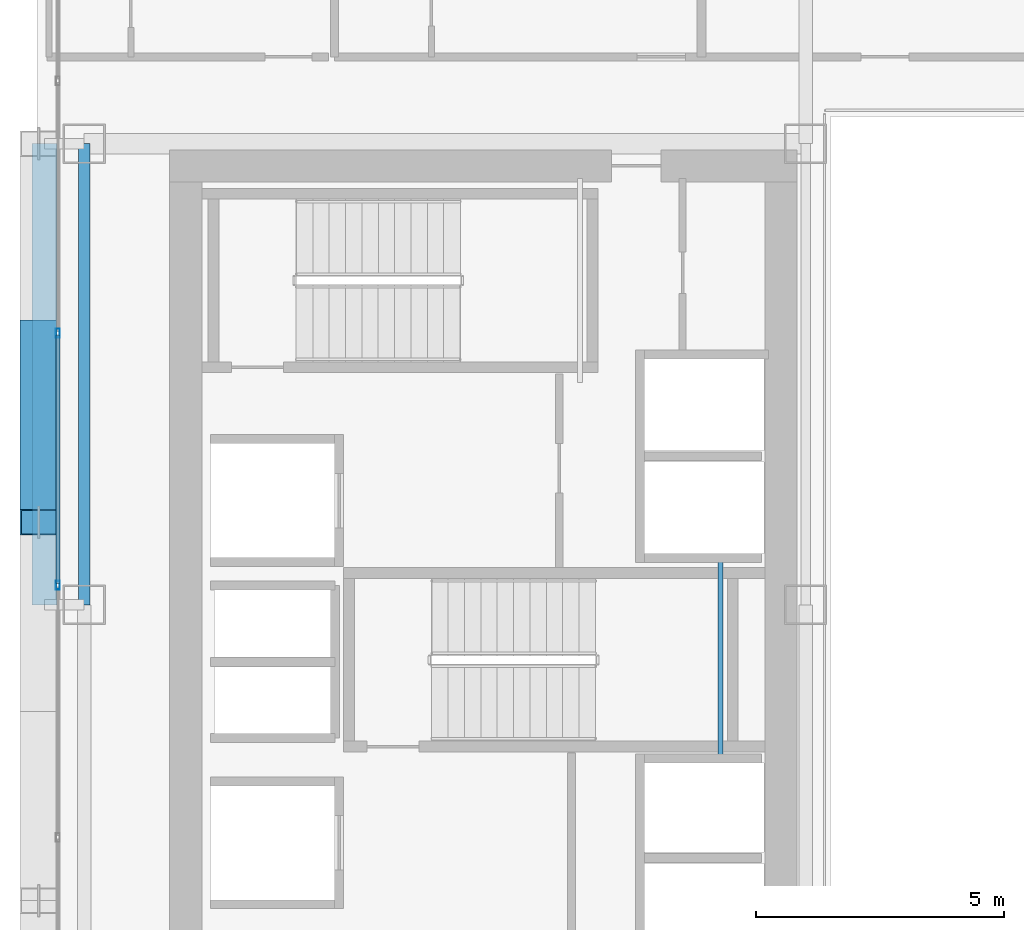
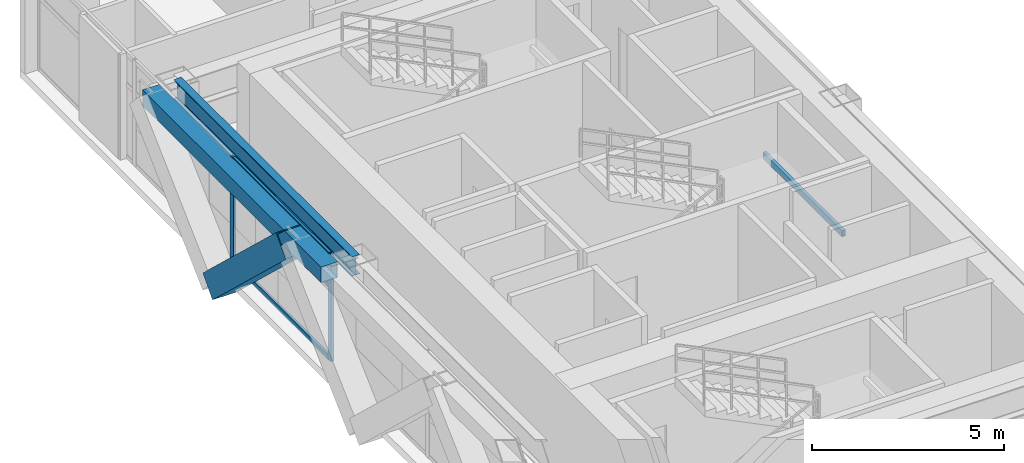
# One storey, part 8 of 34: 6 members, 3 beams, 1 element without a shape of its own.
"""IFC4 building model written with IfcOpenShell, lengths in metres."""

from ifc_helpers import new_model, si_unit, direction, frame, origin, origin_2d, place, context, subcontext, project, spatial, hollow_rectangle, i_section, extrude, source, transform, mapped, material, layer, layer_set, material_profile, profile_set, type_object, element, aggregate, save


model = new_model("IFC4")

# Units and contexts
model_context = context("Model", 3, precision=1e-05, world=origin(), true_north=direction((0.0, 1.0)))
body_context = subcontext(model_context, "Body", "Model", "MODEL_VIEW")
ifc_project = project(units=[si_unit("LENGTHUNIT", "METRE"), si_unit("AREAUNIT", "SQUARE_METRE"), si_unit("VOLUMEUNIT", "CUBIC_METRE"), si_unit("PLANEANGLEUNIT", "RADIAN"), si_unit("MASSUNIT", "GRAM", prefix="KILO")], contexts=[model_context])

# Site, building, storey
site_placement = place(None, origin())
site = spatial("IfcSite", under=ifc_project, at=site_placement, CompositionType="ELEMENT")
building_placement = place(site_placement, origin())
building = spatial("IfcBuilding", under=site, at=building_placement, Name="Ocotamira Hotel", CompositionType="ELEMENT")
storey_placement = place(building_placement, frame((0.0, 0.0, 108.0)))
storey = spatial("IfcBuildingStorey", under=building, at=storey_placement, Name="L26", CompositionType="ELEMENT", Elevation=108.0)

# Beams
ifc_material_1 = material(Name="Steel ASTM A500 Grade C", Category="steel")
ifc_material_profile_1 = material_profile(ifc_material_1, hollow_rectangle(XDim=0.10009765625, YDim=0.199951171875, WallThickness=0.008056640625, at=origin_2d()), Name="HSS200X100X8")
ifc_profile_set_1 = profile_set([ifc_material_profile_1], Name="Steel ASTM A500 Grade C")
beam_type_1 = type_object("IfcBeamType", Name="BM-STLDG-HSS200", PredefinedType="BEAM", material=ifc_profile_set_1)
shared_shape_1 = source(origin(), body_context, "Body", "SweptSolid", [
    extrude(hollow_rectangle(XDim=0.10009765625, YDim=0.199951171875, WallThickness=0.008056640625, at=origin_2d()), origin(), (0.0, 0.0, 1.0), 4.1201171875),
])
beam_1_placement = place(storey_placement, frame((21.780029296875, 24.97998046875, 1.5), z_axis=(0.0, 1.0, 0.0), x_axis=(-1.0, 0.0, 0.0)))
element("IfcBeam", 1, at=beam_1_placement, inside=storey, type_object=beam_type_1, Name="L26 Stair ST-3 Landing Bearer 1", PredefinedType="BEAM", context=body_context, shape_type="MappedRepresentation", body=[
    mapped(shared_shape_1, transform((0.0, 0.0, 0.0), scale=1.0)),
])
ifc_material_2 = material(Name="Steel ASTM A992 Grade 50", Category="steel")
ifc_material_profile_2 = material_profile(ifc_material_2, i_section(OverallWidth=0.22998046875, OverallDepth=0.616943359375, WebThickness=0.01318359375, FlangeThickness=0.022216796875, FilletRadius=0.012939453125, at=origin_2d()), Name="W24X94")
ifc_profile_set_2 = profile_set([ifc_material_profile_2], Name="Steel ASTM A992 Grade 50")
beam_type_2 = type_object("IfcBeamType", Name="BM-PRIM-W24X94", PredefinedType="BEAM", material=ifc_profile_set_2)
shared_shape_2 = source(origin(), body_context, "Body", "SweptSolid", [
    extrude(i_section(OverallWidth=0.22998046875, OverallDepth=0.616943359375, WebThickness=0.01318359375, FlangeThickness=0.022216796875, FilletRadius=0.012939453125, at=origin_2d()), origin(), (0.0, 0.0, 1.0), 9.300048828125),
])
beam_2_placement = place(storey_placement, frame((8.949951171875, 28.14990234375, 3.051513671875), z_axis=(0.0, 1.0, 0.0), x_axis=(-1.0, 0.0, 0.0)))
element("IfcBeam", 2, at=beam_2_placement, inside=storey, type_object=beam_type_2, Name="L26 Beam X8.95 Y28.15-37.45", PredefinedType="BEAM", context=body_context, shape_type="MappedRepresentation", body=[
    mapped(shared_shape_2, transform((0.0, 0.0, 0.0), scale=1.0)),
])
ifc_material_profile_3 = material_profile(ifc_material_1, hollow_rectangle(XDim=0.5, YDim=0.5, WallThickness=0.02001953125, at=origin_2d()), Name="HSS500X500X20")
ifc_profile_set_3 = profile_set([ifc_material_profile_3], Name="Steel ASTM A500 Grade C")
beam_type_3 = type_object("IfcBeamType", Name="BM-SPAN-HSS500", PredefinedType="USERDEFINED", material=ifc_profile_set_3)
shared_shape_3 = source(origin(), body_context, "Body", "SweptSolid", [
    extrude(hollow_rectangle(XDim=0.5, YDim=0.5, WallThickness=0.02001953125, at=origin_2d()), origin(), (0.0, 0.0, 1.0), 9.300048828125),
])
beam_3_placement = place(storey_placement, frame((8.14990234375, 28.14990234375, 3.110107421875), z_axis=(0.0, 1.0, 0.0), x_axis=(-1.0, 0.0, 0.0)))
element("IfcBeam", 3, at=beam_3_placement, inside=storey, type_object=beam_type_3, Name="L26 Edge Spandrel W Y28.15-37.45", ObjectType="SPANDREL", PredefinedType="USERDEFINED", context=body_context, shape_type="MappedRepresentation", body=[
    mapped(shared_shape_3, transform((0.0, 0.0, 0.0), scale=1.0)),
])

# Member
ifc_material_3 = material(Name="Pale-metal coated steel ASTM A913 Grade 65", Category="steel")
ifc_material_profile_4 = material_profile(ifc_material_3, hollow_rectangle(XDim=0.75, YDim=0.75, WallThickness=0.028076171875, at=origin_2d()), Name="BOX750X750X28")
ifc_profile_set_4 = profile_set([ifc_material_profile_4], Name="Pale-metal coated steel ASTM A913 Grade 65")
member_type_1 = type_object("IfcMemberType", Name="MEM-EXO-BOX750", PredefinedType="BRACE", material=ifc_profile_set_4)
shared_shape_4 = source(origin(), body_context, "Body", "SweptSolid", [
    extrude(hollow_rectangle(XDim=0.75, YDim=0.75, WallThickness=0.028076171875, at=origin_2d()), origin(), (0.0, 0.0, 1.0), 5.24658203125),
])
member_1_placement = place(storey_placement, frame((8.030029296875, 33.63330078125, -0.489990234375), z_axis=(0.0, -0.727442733726, 0.686168397078), x_axis=(1.0, 0.0, 0.0)))
element("IfcMember", 4, at=member_1_placement, inside=storey, type_object=member_type_1, Name="L26 Exoskeleton Diagrid W2.1", PredefinedType="BRACE", context=body_context, shape_type="MappedRepresentation", body=[
    mapped(shared_shape_4, transform((0.0, 0.0, 0.0), scale=1.0)),
])

# Curtain wall, members
ifc_material_4 = material(Name="Anodised pale-metal aluminium and solar glass", Category="aluminium")
ifc_layer = layer(ifc_material_4, 0.179931640625)
ifc_layer_set = layer_set([ifc_layer], Name="Anodised pale-metal aluminium and solar glass")
curtain_wall_type = type_object("IfcCurtainWallType", Name="CW-SYS3-Z2", PredefinedType="NOTDEFINED", material=ifc_layer_set)
curtain_wall_placement = place(storey_placement, origin())
curtain_wall = element("IfcCurtainWall", 5, at=curtain_wall_placement, inside=storey, type_object=curtain_wall_type, Name="L26 Curtain Wall CW-3 CW-L26-W", PredefinedType="NOTDEFINED")
ifc_material_5 = material(Name="Anodised pale-metal aluminium 6063-T6", Category="aluminium")
ifc_material_profile_5 = material_profile(ifc_material_5, hollow_rectangle(XDim=0.074951171875, YDim=0.14990234375, WallThickness=0.006103515625, at=origin_2d()), Name="HSS150X75X6")
ifc_profile_set_5 = profile_set([ifc_material_profile_5], Name="Anodised pale-metal aluminium 6063-T6")
member_type_2 = type_object("IfcMemberType", Name="CWT-150X75", PredefinedType="USERDEFINED", material=ifc_profile_set_5)
shared_shape_5 = source(origin(), body_context, "Body", "SweptSolid", [
    extrude(hollow_rectangle(XDim=0.074951171875, YDim=0.14990234375, WallThickness=0.006103515625, at=origin_2d()), origin(), (0.0, 0.0, 1.0), 5.005859375),
])
member_2_placement = place(storey_placement, frame((8.419921875, 28.582763671875, 0.03759765625), z_axis=(0.0, 1.0, 0.0), x_axis=(-1.0, 0.0, 0.0)))
member_2 = element("IfcMember", 6, at=member_2_placement, type_object=member_type_2, Name="CW-3 transom 5.1", ObjectType="TRANSOM", PredefinedType="USERDEFINED", context=body_context, shape_type="MappedRepresentation", body=[
    mapped(shared_shape_5, transform((0.0, 0.0, 0.0), scale=1.0)),
])
member_3_placement = place(storey_placement, frame((8.419921875, 28.582763671875, 2.35009765625), z_axis=(0.0, 1.0, 0.0), x_axis=(-1.0, 0.0, 0.0)))
member_3 = element("IfcMember", 7, at=member_3_placement, type_object=member_type_2, Name="CW-3 transom 5.2", ObjectType="TRANSOM", PredefinedType="USERDEFINED", context=body_context, shape_type="MappedRepresentation", body=[
    mapped(shared_shape_5, transform((0.0, 0.0, 0.0), scale=1.0)),
])
member_4_placement = place(storey_placement, frame((8.419921875, 28.582763671875, 3.322509765625), z_axis=(0.0, 1.0, 0.0), x_axis=(-1.0, 0.0, 0.0)))
member_4 = element("IfcMember", 8, at=member_4_placement, type_object=member_type_2, Name="CW-3 transom 5.3", ObjectType="TRANSOM", PredefinedType="USERDEFINED", context=body_context, shape_type="MappedRepresentation", body=[
    mapped(shared_shape_5, transform((0.0, 0.0, 0.0), scale=1.0)),
])
ifc_material_profile_6 = material_profile(ifc_material_5, hollow_rectangle(XDim=0.080078125, YDim=0.179931640625, WallThickness=0.006103515625, at=origin_2d()), Name="HSS180X80X6")
ifc_profile_set_6 = profile_set([ifc_material_profile_6], Name="Anodised pale-metal aluminium 6063-T6")
member_type_3 = type_object("IfcMemberType", Name="CWM-180X75", PredefinedType="MULLION", material=ifc_profile_set_6)
shared_shape_6 = source(origin(), body_context, "Body", "SweptSolid", [
    extrude(hollow_rectangle(XDim=0.080078125, YDim=0.179931640625, WallThickness=0.006103515625, at=origin_2d()), origin(), (0.0, 0.0, 1.0), 3.360107421875),
])
member_5_placement = place(storey_placement, frame((8.419921875, 28.54296875, 0.0), z_axis=(0.0, 0.0, 1.0), x_axis=(-1.0, 0.0, 0.0)))
member_5 = element("IfcMember", 9, at=member_5_placement, type_object=member_type_3, Name="CW-3 mullion 5", PredefinedType="MULLION", context=body_context, shape_type="MappedRepresentation", body=[
    mapped(shared_shape_6, transform((0.0, 0.0, 0.0), scale=1.0)),
])
member_6_placement = place(storey_placement, frame((8.419921875, 33.628662109375, 0.0), z_axis=(0.0, 0.0, 1.0), x_axis=(-1.0, 0.0, 0.0)))
member_6 = element("IfcMember", 10, at=member_6_placement, type_object=member_type_3, Name="CW-3 mullion 6", PredefinedType="MULLION", context=body_context, shape_type="MappedRepresentation", body=[
    mapped(shared_shape_6, transform((0.0, 0.0, 0.0), scale=1.0)),
])
aggregate(curtain_wall, [member_5, member_6, member_2, member_3, member_4])

save(model, "model.ifc")
